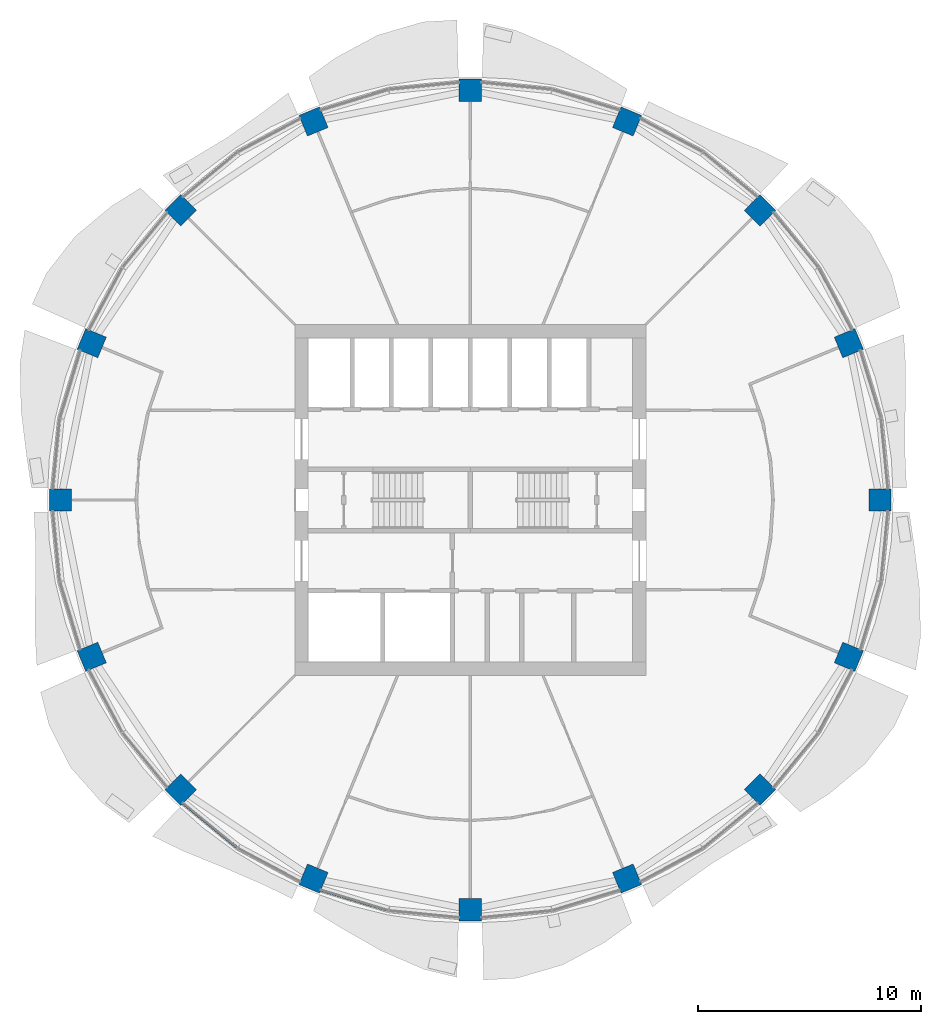
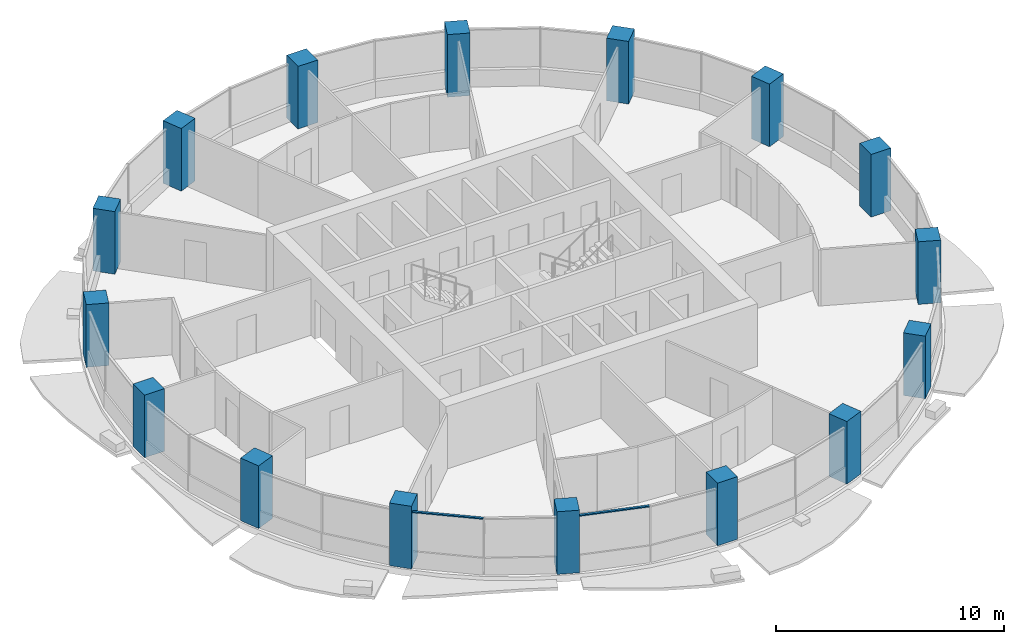
# One storey, part 1 of 15: 16 columns, 2 members, 2 elements without a shape of their own.
"""IFC4 building model written with IfcOpenShell, lengths in metres."""

from ifc_helpers import new_model, si_unit, direction, frame, origin, origin_2d, place, context, subcontext, project, spatial, rectangle, extrude, material, material_profile, profile_set, type_object, element, aggregate, save


model = new_model("IFC4")

# Units and contexts
model_context = context("Model", 3, precision=1e-05, world=origin(), true_north=direction((0.0, 1.0)))
body_context = subcontext(model_context, "Body", "Model", "MODEL_VIEW")
ifc_project = project(units=[si_unit("LENGTHUNIT", "METRE"), si_unit("AREAUNIT", "SQUARE_METRE"), si_unit("VOLUMEUNIT", "CUBIC_METRE"), si_unit("PLANEANGLEUNIT", "RADIAN"), si_unit("MASSUNIT", "GRAM", prefix="KILO")], contexts=[model_context])

# Site, building, storey
site_placement = place(None, origin())
site = spatial("IfcSite", under=ifc_project, at=site_placement, CompositionType="ELEMENT")
building_placement = place(site_placement, origin())
building = spatial("IfcBuilding", under=site, at=building_placement, Name="Polderwave Tower", CompositionType="ELEMENT")
storey_placement = place(building_placement, frame((0.0, 0.0, 134.35009765625)))
storey = spatial("IfcBuildingStorey", under=building, at=storey_placement, Name="L35", CompositionType="ELEMENT", Elevation=134.35009765625)

# Columns
ifc_material_1 = material(Name="Concrete C60/75", Category="concrete")
ifc_material_profile_1 = material_profile(ifc_material_1, rectangle(XDim=1.0, YDim=1.0, at=origin_2d()), Name="RC 1000x1000")
ifc_profile_set_1 = profile_set([ifc_material_profile_1], Name="Concrete C60/75")
column_type = type_object("IfcColumnType", Name="RC COLUMN 1000x1000 C60/75", PredefinedType="COLUMN", material=ifc_profile_set_1)
for number, where, z_axis, x_axis, name in (
    (1, (18.3798828125, 0.0, 0.0), (0.0, 0.0, 1.0), (1.0, 0.0, 0.0), "Ring column 01"),
    (2, (16.98095703125, 7.03369140625, 0.0), (0.0, 0.0, 1.0), (0.923879532511, 0.382683432365, 0.0), "Ring column 02"),
    (3, (12.99658203125, 12.99658203125, 0.0), (0.0, 0.0, 1.0), (0.707106781187, 0.707106781187, 0.0), "Ring column 03"),
    (4, (7.03369140625, 16.98095703125, 0.0), (0.0, 0.0, 1.0), (0.382683432365, 0.923879532511, 0.0), "Ring column 04"),
    (5, (0.0, 18.3798828125, 0.0), (0.0, 0.0, 1.0), (0.0, 1.0, 0.0), "Ring column 05"),
    (6, (-7.03369140625, 16.98095703125, 0.0), (0.0, 0.0, 1.0), (-0.382683432365, 0.923879532511, 0.0), "Ring column 06"),
    (7, (-12.99658203125, 12.99658203125, 0.0), (0.0, 0.0, 1.0), (-0.707106781187, 0.707106781187, 0.0), "Ring column 07"),
    (8, (-16.98095703125, 7.03369140625, 0.0), (0.0, 0.0, 1.0), (-0.923879532511, 0.382683432365, 0.0), "Ring column 08"),
    (9, (-18.3798828125, 0.0, 0.0), (0.0, 0.0, 1.0), (-1.0, 0.0, 0.0), "Ring column 09"),
    (10, (-16.98095703125, -7.03369140625, 0.0), (0.0, 0.0, 1.0), (-0.923879532511, -0.382683432365, 0.0), "Ring column 10"),
    (11, (-12.99658203125, -12.99658203125, 0.0), (0.0, 0.0, 1.0), (-0.707106781187, -0.707106781187, 0.0), "Ring column 11"),
    (12, (-7.03369140625, -16.98095703125, 0.0), (0.0, 0.0, 1.0), (-0.382683432365, -0.923879532511, 0.0), "Ring column 12"),
    (13, (0.0, -18.3798828125, 0.0), (0.0, 0.0, 1.0), (0.0, -1.0, 0.0), "Ring column 13"),
    (14, (7.03369140625, -16.98095703125, 0.0), (0.0, 0.0, 1.0), (0.382683432365, -0.923879532511, 0.0), "Ring column 14"),
    (15, (12.99658203125, -12.99658203125, 0.0), (0.0, 0.0, 1.0), (0.707106781187, -0.707106781187, 0.0), "Ring column 15"),
    (16, (16.98095703125, -7.03369140625, 0.0), (0.0, 0.0, 1.0), (0.923879532511, -0.382683432365, 0.0), "Ring column 16"),
):
    element("IfcColumn", number, at=place(storey_placement, frame(where, z_axis=z_axis, x_axis=x_axis)), inside=storey, type_object=column_type, Name=name, PredefinedType="COLUMN", context=body_context, shape_type="SweptSolid", body=[
        extrude(rectangle(XDim=1.0, YDim=1.0, at=origin_2d()), origin(), (0.0, 0.0, 1.0), 3.349853515625),
    ])

# Curtain wall, member
ifc_material_2 = material(Name="Aluminium 6063-T6 and glass", Category="aluminium")
curtain_wall_type = type_object("IfcCurtainWallType", Name="Office ribbon glazing wall", PredefinedType="NOTDEFINED", material=ifc_material_2)
curtain_wall_1_placement = place(storey_placement, origin())
curtain_wall_1 = element("IfcCurtainWall", 17, at=curtain_wall_1_placement, inside=storey, type_object=curtain_wall_type, Name="CW3 L35 10", PredefinedType="NOTDEFINED")
ifc_material_3 = material(Name="Aluminium 6063-T6", Category="aluminium")
ifc_material_profile_2 = material_profile(ifc_material_3, rectangle(XDim=0.1201171875, YDim=0.06005859375, at=origin_2d()), Name="AL 60x120")
ifc_profile_set_2 = profile_set([ifc_material_profile_2], Name="Aluminium 6063-T6")
member_type = type_object("IfcMemberType", Name="Office ribbon glazing transom 60x120", PredefinedType="USERDEFINED", material=ifc_profile_set_2)
member_1_placement = place(storey_placement, frame((-12.89111328125, -13.597900390625, 2.969970703125), z_axis=(0.772893139863, -0.634536204131, 0.0), x_axis=(0.634536204131, 0.772893139863, 0.0)))
member_1 = element("IfcMember", 18, at=member_1_placement, type_object=member_type, Name="CW3 transom 1", ObjectType="TRANSOM", PredefinedType="USERDEFINED", context=body_context, shape_type="SweptSolid", body=[
    extrude(rectangle(XDim=0.1201171875, YDim=0.06005859375, at=origin_2d()), origin(), (0.0, 0.0, 1.0), 3.151611328125),
])
aggregate(curtain_wall_1, [member_1])

curtain_wall_2_placement = place(storey_placement, origin())
curtain_wall_2 = element("IfcCurtainWall", 19, at=curtain_wall_2_placement, inside=storey, type_object=curtain_wall_type, Name="CW3 L35 11", PredefinedType="NOTDEFINED")
member_2_placement = place(storey_placement, frame((-6.7060546875, -17.49609375, 2.969970703125), z_axis=(0.956945534215, -0.290267539602, 0.0), x_axis=(0.290267539602, 0.956945534215, 0.0)))
member_2 = element("IfcMember", 20, at=member_2_placement, type_object=member_type, Name="CW3 transom 1", ObjectType="TRANSOM", PredefinedType="USERDEFINED", context=body_context, shape_type="SweptSolid", body=[
    extrude(rectangle(XDim=0.1201171875, YDim=0.06005859375, at=origin_2d()), origin(), (0.0, 0.0, 1.0), 3.151611328125),
])
aggregate(curtain_wall_2, [member_2])

save(model, "model.ifc")
